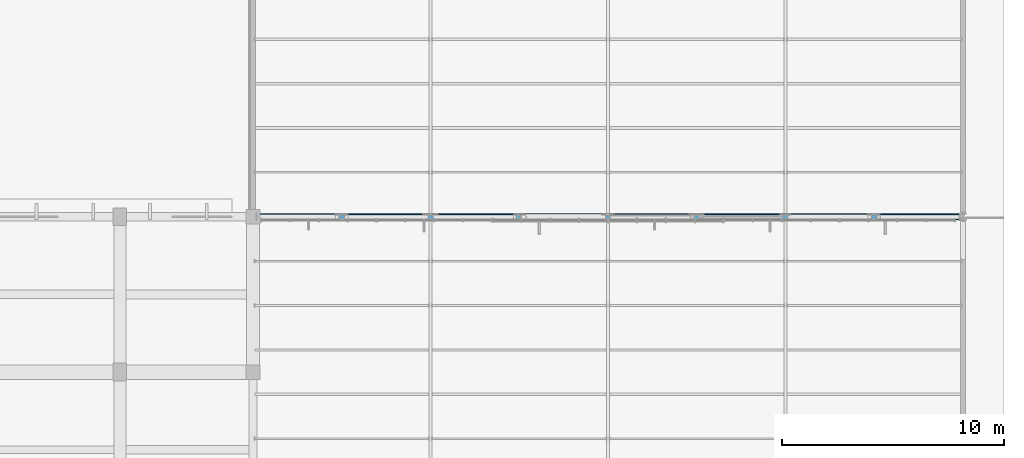
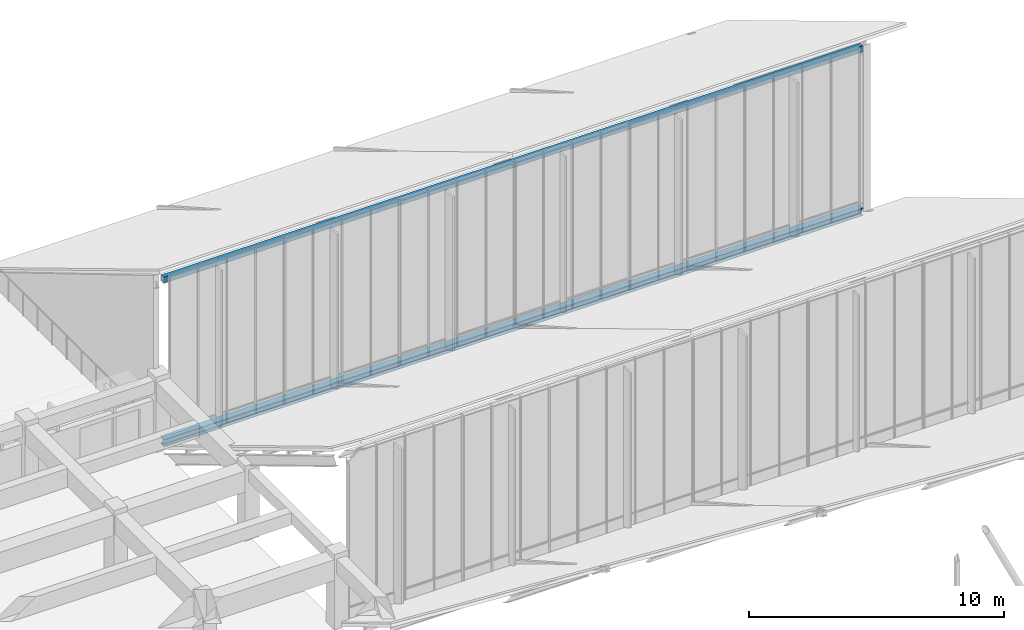
# One storey, part 70 of 155: 2 members.
"""IFC4 building model written with IfcOpenShell, lengths in metres."""

from ifc_helpers import new_model, si_unit, direction, frame, origin, origin_2d, place, context, subcontext, project, spatial, hollow_rectangle, i_section, extrude, material, material_profile, profile_set, type_object, element, save


model = new_model("IFC4")

# Units and contexts
model_context = context("Model", 3, precision=1e-05, world=origin(), true_north=direction((0.0, 1.0)))
body_context = subcontext(model_context, "Body", "Model", "MODEL_VIEW")
ifc_project = project(units=[si_unit("LENGTHUNIT", "METRE"), si_unit("AREAUNIT", "SQUARE_METRE"), si_unit("VOLUMEUNIT", "CUBIC_METRE"), si_unit("PLANEANGLEUNIT", "RADIAN"), si_unit("MASSUNIT", "GRAM", prefix="KILO")], contexts=[model_context])

# Site, building, storey
site_placement = place(None, origin())
site = spatial("IfcSite", under=ifc_project, at=site_placement, CompositionType="ELEMENT")
building_placement = place(site_placement, origin())
building = spatial("IfcBuilding", under=site, at=building_placement, Name="Larkveld Mobility Hub", CompositionType="ELEMENT")
storey_placement = place(building_placement, frame((0.0, 0.0, 8.39990234375)))
storey = spatial("IfcBuildingStorey", under=building, at=storey_placement, Name="L02", CompositionType="ELEMENT", Elevation=8.39990234375)

# Members
ifc_material = material(Name="Steel S355JR", Category="steel")
ifc_material_profile_1 = material_profile(ifc_material, i_section(OverallWidth=0.300048828125, OverallDepth=0.360107421875, WebThickness=0.012451171875, FlangeThickness=0.0224609375, FilletRadius=0.027099609375, at=origin_2d()), Name="HEB 360")
ifc_profile_set_1 = profile_set([ifc_material_profile_1], Name="Steel S355JR")
member_type_1 = type_object("IfcMemberType", Name="MB-CH-HEB360", PredefinedType="CHORD", material=ifc_profile_set_1)
member_1_placement = place(storey_placement, frame((152.159912109375, 112.0, 0.18017578125), z_axis=(1.0, 0.0, 0.0), x_axis=(0.0, 1.0, 0.0)))
element("IfcMember", 1, at=member_1_placement, inside=storey, type_object=member_type_1, Name="ROOF TRUSS T7 Bottom Chord", PredefinedType="CHORD", context=body_context, shape_type="SweptSolid", body=[
    extrude(i_section(OverallWidth=0.300048828125, OverallDepth=0.360107421875, WebThickness=0.012451171875, FlangeThickness=0.0224609375, FilletRadius=0.027099609375, at=origin_2d()), origin(), (0.0, 0.0, 1.0), 31.68017578125),
])
ifc_material_profile_2 = material_profile(ifc_material, hollow_rectangle(XDim=0.199951171875, YDim=0.300048828125, WallThickness=0.012451171875, at=origin_2d()), Name="RHS 300x200x12.5")
ifc_profile_set_2 = profile_set([ifc_material_profile_2], Name="Steel S355JR")
member_type_2 = type_object("IfcMemberType", Name="MB-CH-RHS300", PredefinedType="CHORD", material=ifc_profile_set_2)
member_2_placement = place(storey_placement, frame((152.159912109375, 112.0, 7.9501953125), z_axis=(1.0, 0.0, 0.0), x_axis=(0.0, 1.0, 0.0)))
element("IfcMember", 2, at=member_2_placement, inside=storey, type_object=member_type_2, Name="ROOF TRUSS T7 Top Chord", PredefinedType="CHORD", context=body_context, shape_type="SweptSolid", body=[
    extrude(hollow_rectangle(XDim=0.199951171875, YDim=0.300048828125, WallThickness=0.012451171875, at=origin_2d()), origin(), (0.0, 0.0, 1.0), 31.68017578125),
])

save(model, "model.ifc")
